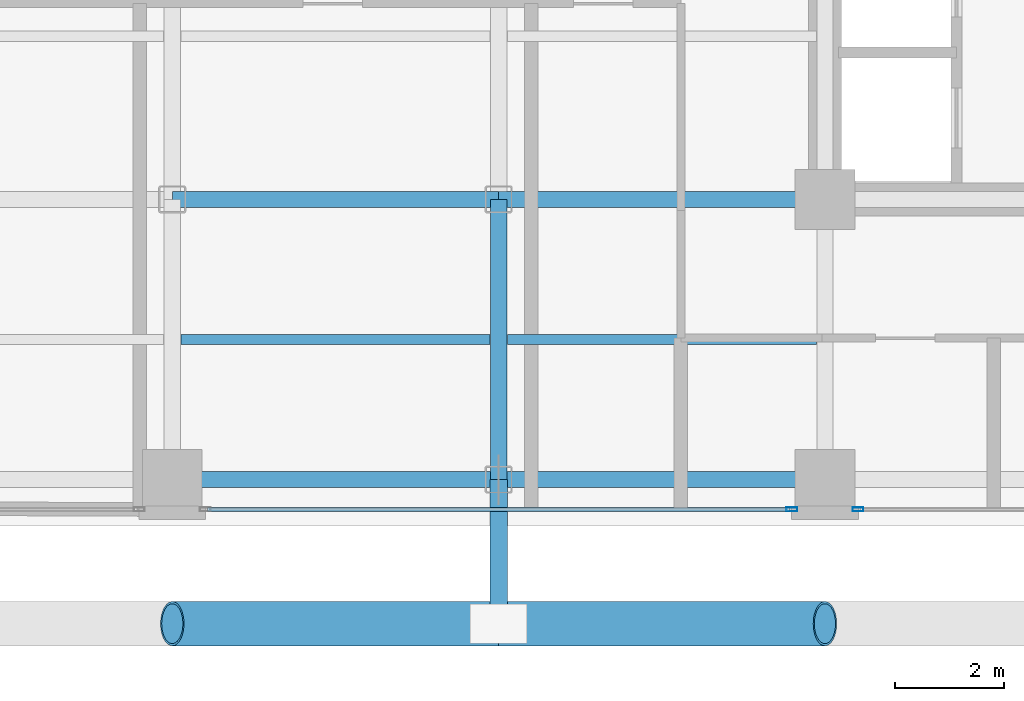
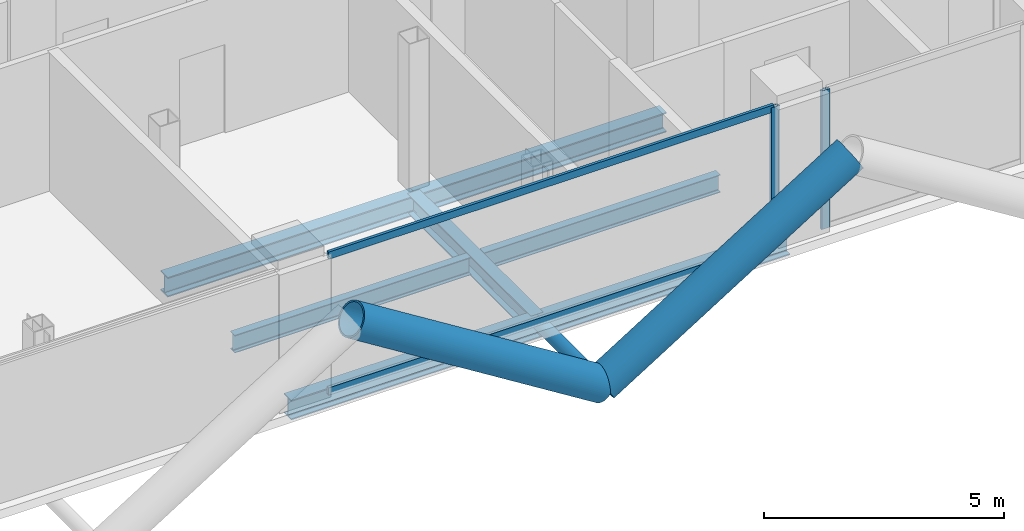
# One storey, part 4 of 28: 7 beams, 7 members, 2 elements without a shape of their own.
"""IFC4 building model written with IfcOpenShell, lengths in metres."""

from ifc_helpers import new_model, si_unit, direction, frame, origin, origin_2d, place, context, subcontext, project, spatial, hollow_rectangle, hollow_circle, i_section, extrude, material, layer, layer_set, material_profile, profile_set, type_object, element, aggregate, save


model = new_model("IFC4")

# Units and contexts
model_context = context("Model", 3, precision=1e-05, world=origin(), true_north=direction((0.0, 1.0)))
body_context = subcontext(model_context, "Body", "Model", "MODEL_VIEW")
ifc_project = project(units=[si_unit("LENGTHUNIT", "METRE"), si_unit("AREAUNIT", "SQUARE_METRE"), si_unit("VOLUMEUNIT", "CUBIC_METRE"), si_unit("PLANEANGLEUNIT", "RADIAN"), si_unit("MASSUNIT", "GRAM", prefix="KILO"), si_unit("THERMODYNAMICTEMPERATUREUNIT", "KELVIN"), si_unit("POWERUNIT", "WATT")], contexts=[model_context])

# Site, building, storey
site_placement = place(None, origin())
site = spatial("IfcSite", under=ifc_project, at=site_placement, CompositionType="ELEMENT")
building_placement = place(site_placement, origin())
building = spatial("IfcBuilding", under=site, at=building_placement, Name="Svarakhadi Broadcast Tower", CompositionType="ELEMENT")
storey_placement = place(building_placement, frame((0.0, 0.0, 134.39990234375)))
storey = spatial("IfcBuildingStorey", under=building, at=storey_placement, Name="L32", CompositionType="ELEMENT", Elevation=134.39990234375)

# Beams
ifc_material_1 = material(Name="Steel S355J2 (IS 2062 E350C)", Category="steel")
ifc_material_profile_1 = material_profile(ifc_material_1, i_section(OverallWidth=0.18994140625, OverallDepth=0.449951171875, WebThickness=0.009521484375, FlangeThickness=0.0146484375, FilletRadius=0.02099609375, at=origin_2d()), Name="NPB 450x190x78")
ifc_profile_set_1 = profile_set([ifc_material_profile_1], Name="Steel S355J2 (IS 2062 E350C)")
beam_type_1 = type_object("IfcBeamType", Name="Beam_NPB450", PredefinedType="BEAM", material=ifc_profile_set_1)
for number, where, z_axis, x_axis, name in (
    (1, (12.159912109375, 3.425048828125, -0.449951171875), (1.0, 0.0, 0.0), (0.0, 1.0, 0.0), "L32 Secondary Composite Beam SB011"),
    (2, (18.159912109375, 3.425048828125, -0.449951171875), (1.0, 0.0, 0.0), (0.0, 1.0, 0.0), "L32 Secondary Composite Beam SB016"),
):
    element("IfcBeam", number, at=place(storey_placement, frame(where, z_axis=z_axis, x_axis=x_axis)), inside=storey, type_object=beam_type_1, Name=name, PredefinedType="BEAM", context=body_context, shape_type="SweptSolid", body=[
        extrude(i_section(OverallWidth=0.18994140625, OverallDepth=0.449951171875, WebThickness=0.009521484375, FlangeThickness=0.0146484375, FilletRadius=0.02099609375, at=origin_2d()), origin(), (0.0, 0.0, 1.0), 5.68017578125),
    ])

# Curtain wall, member
ifc_material_2 = material(Name="Anodised Bronze Aluminium AA 6063-T6", Category="aluminium")
ifc_layer = layer(ifc_material_2, 0.199951171875)
ifc_layer_set = layer_set([ifc_layer], Name="Anodised Bronze Aluminium AA 6063-T6")
curtain_wall_type = type_object("IfcCurtainWallType", Name="CW_Sys_03", PredefinedType="NOTDEFINED", material=ifc_layer_set)
curtain_wall_1_placement = place(storey_placement, origin())
curtain_wall_1 = element("IfcCurtainWall", 3, at=curtain_wall_1_placement, inside=storey, type_object=curtain_wall_type, Name="L32 South Curtain Wall 17 Bay 2", PredefinedType="NOTDEFINED")
ifc_material_profile_2 = material_profile(ifc_material_2, hollow_rectangle(XDim=0.074951171875, YDim=0.199951171875, WallThickness=0.005615234375, at=origin_2d()), Name="ALU MULLION 200x75x6")
ifc_profile_set_2 = profile_set([ifc_material_profile_2], Name="Anodised Bronze Aluminium AA 6063-T6")
member_type_1 = type_object("IfcMemberType", Name="CW_Sys_03_Mul", PredefinedType="MULLION", material=ifc_profile_set_2)
member_1_placement = place(storey_placement, frame((24.607421875, 0.300048828125, 0.0), z_axis=(0.0, 0.0, 1.0), x_axis=(0.0, -1.0, 0.0)))
member_1 = element("IfcMember", 4, at=member_1_placement, type_object=member_type_1, Name="CW-03 mullion 2", PredefinedType="MULLION", context=body_context, shape_type="SweptSolid", body=[
    extrude(hollow_rectangle(XDim=0.074951171875, YDim=0.199951171875, WallThickness=0.005615234375, at=origin_2d()), origin(), (0.0, 0.0, 1.0), 3.525146484375),
])
aggregate(curtain_wall_1, [member_1])

# Curtain wall, members
curtain_wall_2_placement = place(storey_placement, origin())
curtain_wall_2 = element("IfcCurtainWall", 5, at=curtain_wall_2_placement, inside=storey, type_object=curtain_wall_type, Name="L32 South Curtain Wall 17 Bay 3", PredefinedType="NOTDEFINED")
member_2_placement = place(storey_placement, frame((23.392578125, 0.300048828125, 0.0), z_axis=(0.0, 0.0, 1.0), x_axis=(0.0, -1.0, 0.0)))
member_2 = element("IfcMember", 6, at=member_2_placement, type_object=member_type_1, Name="CW-03 mullion 1", PredefinedType="MULLION", context=body_context, shape_type="SweptSolid", body=[
    extrude(hollow_rectangle(XDim=0.074951171875, YDim=0.199951171875, WallThickness=0.005615234375, at=origin_2d()), origin(), (0.0, 0.0, 1.0), 3.525146484375),
])
ifc_material_profile_3 = material_profile(ifc_material_2, hollow_rectangle(XDim=0.070068359375, YDim=0.18505859375, WallThickness=0.0048828125, at=origin_2d()), Name="ALU TRANSOM 185x70x5")
ifc_profile_set_3 = profile_set([ifc_material_profile_3], Name="Anodised Bronze Aluminium AA 6063-T6")
member_type_2 = type_object("IfcMemberType", Name="CW_Sys_03_Trn", PredefinedType="USERDEFINED", material=ifc_profile_set_3)
member_3_placement = place(storey_placement, frame((23.35498046875, 0.300048828125, 0.03515625), z_axis=(-1.0, 0.0, 0.0), x_axis=(0.0, -1.0, 0.0)))
member_3 = element("IfcMember", 7, at=member_3_placement, type_object=member_type_2, Name="CW-03 transom 1.1", ObjectType="TRANSOM", PredefinedType="USERDEFINED", context=body_context, shape_type="SweptSolid", body=[
    extrude(hollow_rectangle(XDim=0.070068359375, YDim=0.18505859375, WallThickness=0.0048828125, at=origin_2d()), origin(), (0.0, 0.0, 1.0), 10.7099609375),
])
member_4_placement = place(storey_placement, frame((23.35498046875, 0.300048828125, 3.489990234375), z_axis=(-1.0, 0.0, 0.0), x_axis=(0.0, -1.0, 0.0)))
member_4 = element("IfcMember", 8, at=member_4_placement, type_object=member_type_2, Name="CW-03 transom 1.2", ObjectType="TRANSOM", PredefinedType="USERDEFINED", context=body_context, shape_type="SweptSolid", body=[
    extrude(hollow_rectangle(XDim=0.070068359375, YDim=0.18505859375, WallThickness=0.0048828125, at=origin_2d()), origin(), (0.0, 0.0, 1.0), 10.7099609375),
])
aggregate(curtain_wall_2, [member_2, member_3, member_4])

# Members
ifc_material_3 = material(Name="Steel S460ML (IS 2062 E450BR)", Category="steel")
ifc_material_profile_4 = material_profile(ifc_material_3, hollow_circle(Radius=0.406494140625, WallThickness=0.0400390625, at=origin_2d()), Name="CHS 813x40")
ifc_profile_set_4 = profile_set([ifc_material_profile_4], Name="Steel S460ML (IS 2062 E450BR)")
member_type_3 = type_object("IfcMemberType", Name="Exo_Brace_CHS813", PredefinedType="BRACE", material=ifc_profile_set_4)
for number, where, z_axis, x_axis, name in (
    (9, (18.0, -1.800048828125, -0.386962890625), (-0.847998304005, 0.0, 0.529998940003), (0.0, -1.0, 0.0), "L32 Exposed Bronze Exoskeleton Diagonal S02"),
    (10, (18.0, -1.800048828125, -0.386962890625), (0.847998304005, 0.0, 0.529998940003), (0.0, 1.0, 0.0), "L32 Exposed Bronze Exoskeleton Diagonal S03"),
):
    element("IfcMember", number, at=place(storey_placement, frame(where, z_axis=z_axis, x_axis=x_axis)), inside=storey, type_object=member_type_3, Name=name, PredefinedType="BRACE", context=body_context, shape_type="SweptSolid", body=[
        extrude(hollow_circle(Radius=0.406494140625, WallThickness=0.0400390625, at=origin_2d()), origin(), (0.0, 0.0, 1.0), 7.075439453125),
    ])
ifc_material_profile_5 = material_profile(ifc_material_3, hollow_circle(Radius=0.161865234375, WallThickness=0.01611328125, at=origin_2d()), Name="CHS 323.9x16")
ifc_profile_set_5 = profile_set([ifc_material_profile_5], Name="Steel S460ML (IS 2062 E450BR)")
member_type_4 = type_object("IfcMemberType", Name="Exo_Radial_Strut_Z2", PredefinedType="STRUT", material=ifc_profile_set_5)
member_5_placement = place(storey_placement, frame((18.0, -1.800048828125, -0.386962890625), z_axis=(0.0, 1.0, 0.0), x_axis=(-1.0, 0.0, 0.0)))
element("IfcMember", 11, at=member_5_placement, inside=storey, type_object=member_type_4, Name="L32 Exoskeleton Radial Tie Strut S02", PredefinedType="STRUT", context=body_context, shape_type="SweptSolid", body=[
    extrude(hollow_circle(Radius=0.161865234375, WallThickness=0.01611328125, at=origin_2d()), origin(), (0.0, 0.0, 1.0), 2.650146484375),
])

# Beams
ifc_material_profile_6 = material_profile(ifc_material_1, i_section(OverallWidth=0.300048828125, OverallDepth=0.5, WebThickness=0.014404296875, FlangeThickness=0.028076171875, FilletRadius=0.027099609375, at=origin_2d()), Name="WPB 500x300x187")
ifc_profile_set_6 = profile_set([ifc_material_profile_6], Name="Steel S355J2 (IS 2062 E350C)")
beam_type_2 = type_object("IfcBeamType", Name="Girder_WPB500", PredefinedType="USERDEFINED", material=ifc_profile_set_6)
for number, where, z_axis, x_axis, name in (
    (12, (12.0, 0.85009765625, -0.474853515625), (1.0, 0.0, 0.0), (0.0, 1.0, 0.0), "L32 Primary E-W Girder G005"),
    (13, (18.0, 0.85009765625, -0.474853515625), (1.0, 0.0, 0.0), (0.0, 1.0, 0.0), "L32 Primary E-W Girder G006"),
    (14, (12.0, 6.0, -0.474853515625), (1.0, 0.0, 0.0), (0.0, 1.0, 0.0), "L32 Primary E-W Girder G012"),
    (15, (18.0, 6.0, -0.474853515625), (1.0, 0.0, 0.0), (0.0, 1.0, 0.0), "L32 Primary E-W Girder G013"),
):
    element("IfcBeam", number, at=place(storey_placement, frame(where, z_axis=z_axis, x_axis=x_axis)), inside=storey, type_object=beam_type_2, Name=name, ObjectType="GIRDER", PredefinedType="USERDEFINED", context=body_context, shape_type="SweptSolid", body=[
        extrude(i_section(OverallWidth=0.300048828125, OverallDepth=0.5, WebThickness=0.014404296875, FlangeThickness=0.028076171875, FilletRadius=0.027099609375, at=origin_2d()), origin(), (0.0, 0.0, 1.0), 6.0),
    ])
beam_placement = place(storey_placement, frame((18.0, 0.85009765625, -0.474853515625), z_axis=(0.0, 1.0, 0.0), x_axis=(-1.0, 0.0, 0.0)))
element("IfcBeam", 16, at=beam_placement, inside=storey, type_object=beam_type_2, Name="L32 Primary N-S Girder G056", ObjectType="GIRDER", PredefinedType="USERDEFINED", context=body_context, shape_type="SweptSolid", body=[
    extrude(i_section(OverallWidth=0.300048828125, OverallDepth=0.5, WebThickness=0.014404296875, FlangeThickness=0.028076171875, FilletRadius=0.027099609375, at=origin_2d()), origin(), (0.0, 0.0, 1.0), 5.14990234375),
])

save(model, "model.ifc")
